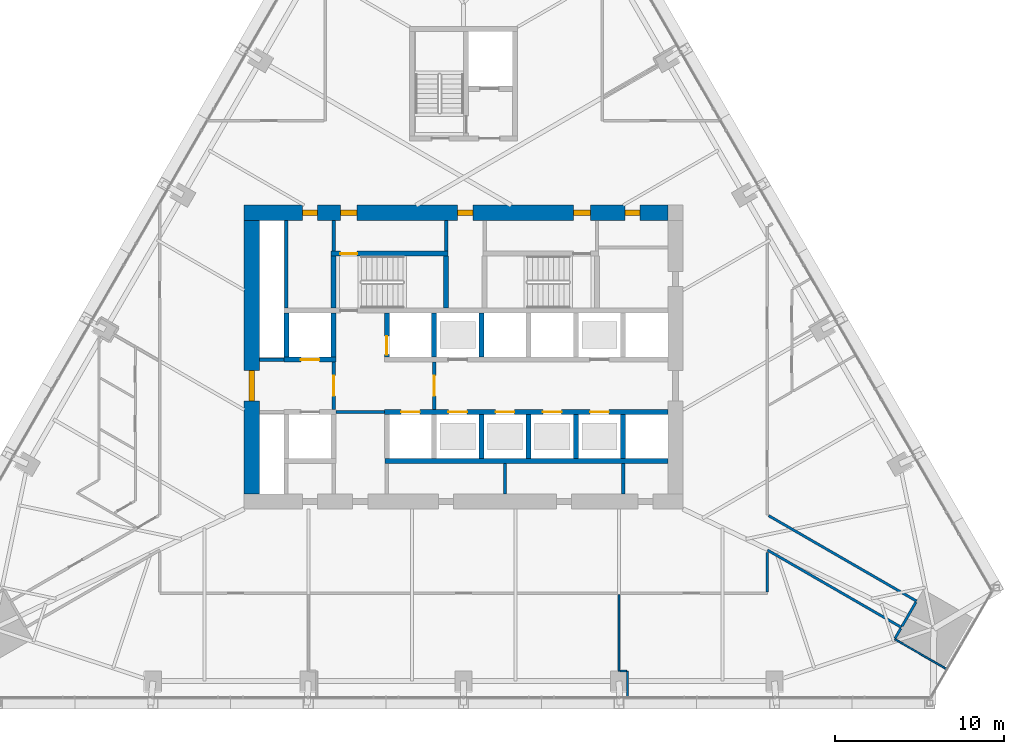
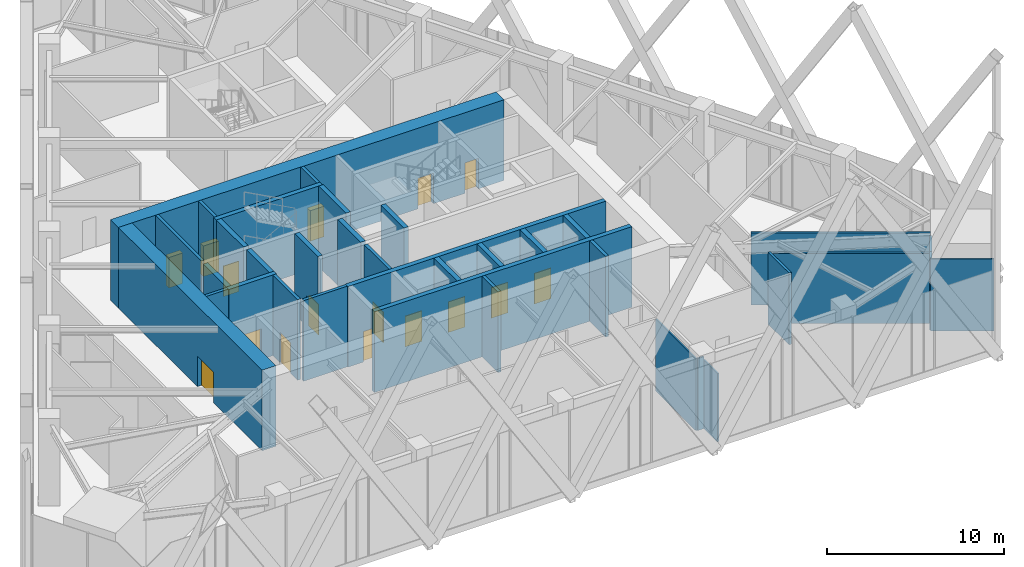
# One storey, part 16 of 21: 35 walls, 16 doors, 16 openings.
"""IFC4 building model written with IfcOpenShell, lengths in metres."""

from ifc_helpers import new_model, si_unit, direction, frame, frame_2d, origin, place, context, subcontext, project, spatial, rectangle, extrude, material, layer, layer_set, type_object, element, fill, save


model = new_model("IFC4")

# Units and contexts
model_context = context("Model", 3, precision=1e-05, world=origin(), true_north=direction((0.0, 1.0)))
body_context = subcontext(model_context, "Body", "Model", "MODEL_VIEW")
ifc_project = project(units=[si_unit("LENGTHUNIT", "METRE"), si_unit("AREAUNIT", "SQUARE_METRE"), si_unit("VOLUMEUNIT", "CUBIC_METRE"), si_unit("PLANEANGLEUNIT", "RADIAN"), si_unit("MASSUNIT", "GRAM", prefix="KILO")], contexts=[model_context])

# Site, building, storey
site_placement = place(None, origin())
site = spatial("IfcSite", under=ifc_project, at=site_placement, CompositionType="ELEMENT")
building_placement = place(site_placement, origin())
building = spatial("IfcBuilding", under=site, at=building_placement, Name="Firuza Gate Tower and Library", CompositionType="ELEMENT")
storey_placement = place(building_placement, frame((0.0, 0.0, 140.800048828125)))
storey = spatial("IfcBuildingStorey", under=building, at=storey_placement, Name="L32", CompositionType="ELEMENT", Elevation=140.800048828125)

# Walls
ifc_material_1 = material(Name="Plasterboard on steel studs", Category="steel")
ifc_layer_1 = layer(ifc_material_1, 0.199951171875)
ifc_layer_set_1 = layer_set([ifc_layer_1], Name="Core partition 200 EI 120")
wall_type_1 = type_object("IfcWallType", Name="Core partition 200 EI 120", PredefinedType="PARTITIONING", material=ifc_layer_set_1)
wall_1_placement = place(storey_placement, frame((62.89990234375, 74.85009765625, 0.0), z_axis=(0.0, 0.0, 1.0), x_axis=(1.0, 0.0, 0.0)))
element("IfcWall", 1, at=wall_1_placement, inside=storey, type_object=wall_type_1, Name="Core partition L32 3", PredefinedType="PARTITIONING", context=body_context, shape_type="SweptSolid", body=[
    extrude(rectangle(XDim=1.4501953125, YDim=0.199951171875, at=frame_2d((0.72509765625, 0.0))), origin(), (0.0, 0.0, 1.0), 5.550048828125),
])
wall_2_placement = place(storey_placement, frame((64.5, 77.89990234375, 0.0), z_axis=(0.0, 0.0, 1.0), x_axis=(0.0, 1.0, 0.0)))
element("IfcWall", 2, at=wall_2_placement, inside=storey, type_object=wall_type_1, Name="Core partition L32 6", PredefinedType="PARTITIONING", context=body_context, shape_type="SweptSolid", body=[
    extrude(rectangle(XDim=5.2001953125, YDim=0.199951171875, at=frame_2d((2.60009765625, 0.0))), origin(), (0.0, 0.0, 1.0), 5.550048828125),
])
for number, where, z_axis, x_axis, name in (
    (3, (77.449951171875, 66.89990234375, 0.0), (0.0, 0.0, 1.0), (0.0, 1.0, 0.0), "Core partition L32 14"),
    (4, (84.449951171875, 66.89990234375, 0.0), (0.0, 0.0, 1.0), (0.0, 1.0, 0.0), "Core partition L32 16"),
):
    element("IfcWall", number, at=place(storey_placement, frame(where, z_axis=z_axis, x_axis=x_axis)), inside=storey, type_object=wall_type_1, Name=name, PredefinedType="PARTITIONING", context=body_context, shape_type="SweptSolid", body=[
        extrude(rectangle(XDim=1.800048828125, YDim=0.199951171875, at=frame_2d((0.89990234375, 0.0))), origin(), (0.0, 0.0, 1.0), 5.550048828125),
    ])
ifc_material_2 = material(Name="Plasterboard on steel studs", Category="steel")
ifc_layer_2 = layer(ifc_material_2, 0.199951171875)
ifc_layer_set_2 = layer_set([ifc_layer_2], Name="Core partition 200 EI 60")
wall_type_2 = type_object("IfcWallType", Name="Core partition 200 EI 60", PredefinedType="PARTITIONING", material=ifc_layer_set_2)
wall_3_placement = place(storey_placement, frame((67.449951171875, 71.75, 0.0), z_axis=(0.0, 0.0, 1.0), x_axis=(1.0, 0.0, 0.0)))
element("IfcWall", 5, at=wall_3_placement, inside=storey, type_object=wall_type_2, Name="Core partition L32 2", PredefinedType="PARTITIONING", context=body_context, shape_type="SweptSolid", body=[
    extrude(rectangle(XDim=2.85009765625, YDim=0.199951171875, at=frame_2d((1.425048828125, 0.0))), origin(), (0.0, 0.0, 1.0), 5.550048828125),
])

# Wall, opening, door
wall_4_placement = place(storey_placement, frame((67.300048828125, 71.89990234375, 0.0), z_axis=(0.0, 0.0, 1.0), x_axis=(0.0, 1.0, 0.0)))
wall_4 = element("IfcWall", 6, at=wall_4_placement, inside=storey, type_object=wall_type_2, Name="Core partition L32 8", PredefinedType="PARTITIONING", context=body_context, shape_type="SweptSolid", body=[
    extrude(rectangle(XDim=2.800048828125, YDim=0.199951171875, at=frame_2d((1.39990234375, 0.0))), origin(), (0.0, 0.0, 1.0), 5.550048828125),
])
opening_1_placement = place(wall_4_placement, frame((0.800048828125, 0.0, 0.0)))
opening_1 = element("IfcOpeningElement", 7, at=opening_1_placement, cuts=wall_4, Name="Opening L32-K21", PredefinedType="OPENING", context=body_context, shape_type="SweptSolid", body=[
    extrude(rectangle(XDim=1.199951171875, YDim=2.10009765625, at=frame_2d((0.60009765625, 1.050048828125))), frame((0.0, 0.10986328125, 0.0), z_axis=(0.0, -1.0, 0.0), x_axis=(1.0, 0.0, 0.0)), (0.0, 0.0, 1.0), 0.219970703125),
])
ifc_material_3 = material(Name="Steel", Category="steel")
door_type_1 = type_object("IfcDoorType", Name="Fire door 1200x2100 FD90S", OperationType="NOTDEFINED", PredefinedType="DOOR", material=ifc_material_3)
door_1_placement = place(opening_1_placement, origin())
door_1 = element("IfcDoor", 8, at=door_1_placement, inside=storey, type_object=door_type_1, Name="Door L32-K21", OperationType="SINGLE_SWING_RIGHT", OverallHeight=2.10009765625, OverallWidth=1.199951171875, PredefinedType="DOOR", context=body_context, shape_type="SweptSolid", body=[
    extrude(rectangle(XDim=1.199951171875, YDim=2.10009765625, at=frame_2d((0.60009765625, 1.050048828125))), frame((0.0, 0.02490234375, 0.0), z_axis=(0.0, -1.0, 0.0), x_axis=(1.0, 0.0, 0.0)), (0.0, 0.0, 1.0), 0.050048828125),
])
fill(opening_1, door_1)

# Wall
wall_5_placement = place(storey_placement, frame((67.300048828125, 81.280029296875, 0.0), z_axis=(0.0, 0.0, 1.0), x_axis=(0.0, 1.0, 0.0)))
element("IfcWall", 9, at=wall_5_placement, inside=storey, type_object=wall_type_2, Name="Core partition L32 9", PredefinedType="PARTITIONING", context=body_context, shape_type="SweptSolid", body=[
    extrude(rectangle(XDim=1.820068359375, YDim=0.199951171875, at=frame_2d((0.91015625, 0.0))), origin(), (0.0, 0.0, 1.0), 5.550048828125),
])

# Wall, opening, door
wall_6_placement = place(storey_placement, frame((73.25, 71.89990234375, 0.0), z_axis=(0.0, 0.0, 1.0), x_axis=(0.0, 1.0, 0.0)))
wall_6 = element("IfcWall", 10, at=wall_6_placement, inside=storey, type_object=wall_type_2, Name="Core partition L32 11", PredefinedType="PARTITIONING", context=body_context, shape_type="SweptSolid", body=[
    extrude(rectangle(XDim=2.800048828125, YDim=0.199951171875, at=frame_2d((1.39990234375, 0.0))), origin(), (0.0, 0.0, 1.0), 5.550048828125),
])
opening_2_placement = place(wall_6_placement, frame((0.800048828125, 0.0, 0.0)))
opening_2 = element("IfcOpeningElement", 11, at=opening_2_placement, cuts=wall_6, Name="Opening L32-K20", PredefinedType="OPENING", context=body_context, shape_type="SweptSolid", body=[
    extrude(rectangle(XDim=1.199951171875, YDim=2.10009765625, at=frame_2d((0.60009765625, 1.050048828125))), frame((0.0, 0.10986328125, 0.0), z_axis=(0.0, -1.0, 0.0), x_axis=(1.0, 0.0, 0.0)), (0.0, 0.0, 1.0), 0.219970703125),
])
door_2_placement = place(opening_2_placement, origin())
door_2 = element("IfcDoor", 12, at=door_2_placement, inside=storey, type_object=door_type_1, Name="Door L32-K20", OperationType="SINGLE_SWING_LEFT", OverallHeight=2.10009765625, OverallWidth=1.199951171875, PredefinedType="DOOR", context=body_context, shape_type="SweptSolid", body=[
    extrude(rectangle(XDim=1.199951171875, YDim=2.10009765625, at=frame_2d((0.60009765625, 1.050048828125))), frame((0.0, 0.02490234375, 0.0), z_axis=(0.0, -1.0, 0.0), x_axis=(1.0, 0.0, 0.0)), (0.0, 0.0, 1.0), 0.050048828125),
])
fill(opening_2, door_2)

# Walls
wall_7_placement = place(storey_placement, frame((73.9599609375, 81.280029296875, 0.0), z_axis=(0.0, 0.0, 1.0), x_axis=(0.0, 1.0, 0.0)))
element("IfcWall", 13, at=wall_7_placement, inside=storey, type_object=wall_type_2, Name="Core partition L32 12", PredefinedType="PARTITIONING", context=body_context, shape_type="SweptSolid", body=[
    extrude(rectangle(XDim=1.820068359375, YDim=0.199951171875, at=frame_2d((0.91015625, 0.0))), origin(), (0.0, 0.0, 1.0), 5.550048828125),
])
ifc_material_4 = material(Name="Concrete C80/95", Category="concrete")
ifc_layer_3 = layer(ifc_material_4, 0.300048828125)
ifc_layer_set_3 = layer_set([ifc_layer_3], Name="Core wall 300 C80/95")
wall_type_3 = type_object("IfcWallType", Name="Core wall 300 C80/95", PredefinedType="SHEAR", material=ifc_layer_set_3)
wall_8_placement = place(storey_placement, frame((70.35009765625, 68.85009765625, 0.0), z_axis=(0.0, 0.0, 1.0), x_axis=(1.0, 0.0, 0.0)))
element("IfcWall", 14, at=wall_8_placement, inside=storey, type_object=wall_type_3, Name="Core wall L32 6", PredefinedType="SHEAR", context=body_context, shape_type="SweptSolid", body=[
    extrude(rectangle(XDim=16.75, YDim=0.300048828125, at=frame_2d((8.375, 0.0))), origin(), (0.0, 0.0, 1.0), 5.550048828125),
])

# Wall, openings, doors
wall_9_placement = place(storey_placement, frame((70.300048828125, 71.75, 0.0), z_axis=(0.0, 0.0, 1.0), x_axis=(1.0, 0.0, 0.0)))
wall_9 = element("IfcWall", 15, at=wall_9_placement, inside=storey, type_object=wall_type_3, Name="Core wall L32 8", PredefinedType="SHEAR", context=body_context, shape_type="SweptSolid", body=[
    extrude(rectangle(XDim=16.800048828125, YDim=0.300048828125, at=frame_2d((8.39990234375, 0.0))), origin(), (0.0, 0.0, 1.0), 5.550048828125),
])
opening_3_placement = place(wall_9_placement, frame((1.0, 0.0, 0.0)))
opening_3 = element("IfcOpeningElement", 16, at=opening_3_placement, cuts=wall_9, Name="Opening LD-FF1-L32", PredefinedType="OPENING", context=body_context, shape_type="SweptSolid", body=[
    extrude(rectangle(XDim=1.10009765625, YDim=2.10009765625, at=frame_2d((0.550048828125, 1.050048828125))), frame((0.0, 0.16015625, 0.0), z_axis=(0.0, -1.0, 0.0), x_axis=(1.0, 0.0, 0.0)), (0.0, 0.0, 1.0), 0.320068359375),
])
opening_4_placement = place(wall_9_placement, frame((3.800048828125, 0.0, 0.0)))
opening_4 = element("IfcOpeningElement", 17, at=opening_4_placement, cuts=wall_9, Name="Opening LD-MR1-L32", PredefinedType="OPENING", context=body_context, shape_type="SweptSolid", body=[
    extrude(rectangle(XDim=1.10009765625, YDim=2.10009765625, at=frame_2d((0.550048828125, 1.050048828125))), frame((0.0, 0.16015625, 0.0), z_axis=(0.0, -1.0, 0.0), x_axis=(1.0, 0.0, 0.0)), (0.0, 0.0, 1.0), 0.320068359375),
])
opening_5_placement = place(wall_9_placement, frame((6.60009765625, 0.0, 0.0)))
opening_5 = element("IfcOpeningElement", 18, at=opening_5_placement, cuts=wall_9, Name="Opening LD-MR2-L32", PredefinedType="OPENING", context=body_context, shape_type="SweptSolid", body=[
    extrude(rectangle(XDim=1.10009765625, YDim=2.10009765625, at=frame_2d((0.550048828125, 1.050048828125))), frame((0.0, 0.16015625, 0.0), z_axis=(0.0, -1.0, 0.0), x_axis=(1.0, 0.0, 0.0)), (0.0, 0.0, 1.0), 0.320068359375),
])
opening_6_placement = place(wall_9_placement, frame((9.39990234375, 0.0, 0.0)))
opening_6 = element("IfcOpeningElement", 19, at=opening_6_placement, cuts=wall_9, Name="Opening LD-MR3-L32", PredefinedType="OPENING", context=body_context, shape_type="SweptSolid", body=[
    extrude(rectangle(XDim=1.10009765625, YDim=2.10009765625, at=frame_2d((0.550048828125, 1.050048828125))), frame((0.0, 0.16015625, 0.0), z_axis=(0.0, -1.0, 0.0), x_axis=(1.0, 0.0, 0.0)), (0.0, 0.0, 1.0), 0.320068359375),
])
opening_7_placement = place(wall_9_placement, frame((12.199951171875, 0.0, 0.0)))
opening_7 = element("IfcOpeningElement", 20, at=opening_7_placement, cuts=wall_9, Name="Opening LD-MR5-L32", PredefinedType="OPENING", context=body_context, shape_type="SweptSolid", body=[
    extrude(rectangle(XDim=1.10009765625, YDim=2.10009765625, at=frame_2d((0.550048828125, 1.050048828125))), frame((0.0, 0.16015625, 0.0), z_axis=(0.0, -1.0, 0.0), x_axis=(1.0, 0.0, 0.0)), (0.0, 0.0, 1.0), 0.320068359375),
])
ifc_material_5 = material(Name="Stainless steel", Category="steel")
door_type_2 = type_object("IfcDoorType", Name="Lift landing door 1100x2100", OperationType="DOUBLE_DOOR_SLIDING", PredefinedType="DOOR", material=ifc_material_5)
door_3_placement = place(opening_3_placement, origin())
door_3 = element("IfcDoor", 21, at=door_3_placement, inside=storey, type_object=door_type_2, Name="Landing door FF1 L32", OperationType="DOUBLE_DOOR_SLIDING", OverallHeight=2.10009765625, OverallWidth=1.10009765625, PredefinedType="DOOR", context=body_context, shape_type="SweptSolid", body=[
    extrude(rectangle(XDim=1.10009765625, YDim=2.10009765625, at=frame_2d((0.550048828125, 1.050048828125))), frame((0.0, 0.02490234375, 0.0), z_axis=(0.0, -1.0, 0.0), x_axis=(1.0, 0.0, 0.0)), (0.0, 0.0, 1.0), 0.050048828125),
])
fill(opening_3, door_3)
door_4_placement = place(opening_4_placement, origin())
door_4 = element("IfcDoor", 22, at=door_4_placement, inside=storey, type_object=door_type_2, Name="Landing door MR1 L32", OperationType="DOUBLE_DOOR_SLIDING", OverallHeight=2.10009765625, OverallWidth=1.10009765625, PredefinedType="DOOR", context=body_context, shape_type="SweptSolid", body=[
    extrude(rectangle(XDim=1.10009765625, YDim=2.10009765625, at=frame_2d((0.550048828125, 1.050048828125))), frame((0.0, 0.02490234375, 0.0), z_axis=(0.0, -1.0, 0.0), x_axis=(1.0, 0.0, 0.0)), (0.0, 0.0, 1.0), 0.050048828125),
])
fill(opening_4, door_4)
door_5_placement = place(opening_5_placement, origin())
door_5 = element("IfcDoor", 23, at=door_5_placement, inside=storey, type_object=door_type_2, Name="Landing door MR2 L32", OperationType="DOUBLE_DOOR_SLIDING", OverallHeight=2.10009765625, OverallWidth=1.10009765625, PredefinedType="DOOR", context=body_context, shape_type="SweptSolid", body=[
    extrude(rectangle(XDim=1.10009765625, YDim=2.10009765625, at=frame_2d((0.550048828125, 1.050048828125))), frame((0.0, 0.02490234375, 0.0), z_axis=(0.0, -1.0, 0.0), x_axis=(1.0, 0.0, 0.0)), (0.0, 0.0, 1.0), 0.050048828125),
])
fill(opening_5, door_5)
door_6_placement = place(opening_6_placement, origin())
door_6 = element("IfcDoor", 24, at=door_6_placement, inside=storey, type_object=door_type_2, Name="Landing door MR3 L32", OperationType="DOUBLE_DOOR_SLIDING", OverallHeight=2.10009765625, OverallWidth=1.10009765625, PredefinedType="DOOR", context=body_context, shape_type="SweptSolid", body=[
    extrude(rectangle(XDim=1.10009765625, YDim=2.10009765625, at=frame_2d((0.550048828125, 1.050048828125))), frame((0.0, 0.02490234375, 0.0), z_axis=(0.0, -1.0, 0.0), x_axis=(1.0, 0.0, 0.0)), (0.0, 0.0, 1.0), 0.050048828125),
])
fill(opening_6, door_6)
door_7_placement = place(opening_7_placement, origin())
door_7 = element("IfcDoor", 25, at=door_7_placement, inside=storey, type_object=door_type_2, Name="Landing door MR5 L32", OperationType="DOUBLE_DOOR_SLIDING", OverallHeight=2.10009765625, OverallWidth=1.10009765625, PredefinedType="DOOR", context=body_context, shape_type="SweptSolid", body=[
    extrude(rectangle(XDim=1.10009765625, YDim=2.10009765625, at=frame_2d((0.550048828125, 1.050048828125))), frame((0.0, 0.02490234375, 0.0), z_axis=(0.0, -1.0, 0.0), x_axis=(1.0, 0.0, 0.0)), (0.0, 0.0, 1.0), 0.050048828125),
])
fill(opening_7, door_7)

# Wall, opening, door
wall_10_placement = place(storey_placement, frame((64.35009765625, 74.85009765625, 0.0), z_axis=(0.0, 0.0, 1.0), x_axis=(1.0, 0.0, 0.0)))
wall_10 = element("IfcWall", 26, at=wall_10_placement, inside=storey, type_object=wall_type_3, Name="Core wall L32 9", PredefinedType="SHEAR", context=body_context, shape_type="SweptSolid", body=[
    extrude(rectangle(XDim=3.099853515625, YDim=0.300048828125, at=frame_2d((1.5498046875, 0.0))), origin(), (0.0, 0.0, 1.0), 5.550048828125),
])
opening_8_placement = place(wall_10_placement, frame((1.0, 0.0, 0.0)))
opening_8 = element("IfcOpeningElement", 27, at=opening_8_placement, cuts=wall_10, Name="Opening LD-SA2-L32", PredefinedType="OPENING", context=body_context, shape_type="SweptSolid", body=[
    extrude(rectangle(XDim=1.10009765625, YDim=2.10009765625, at=frame_2d((0.550048828125, 1.050048828125))), frame((0.0, 0.16015625, 0.0), z_axis=(0.0, -1.0, 0.0), x_axis=(1.0, 0.0, 0.0)), (0.0, 0.0, 1.0), 0.320068359375),
])
door_8_placement = place(opening_8_placement, origin())
door_8 = element("IfcDoor", 28, at=door_8_placement, inside=storey, type_object=door_type_2, Name="Landing door SA2 L32", OperationType="DOUBLE_DOOR_SLIDING", OverallHeight=2.10009765625, OverallWidth=1.10009765625, PredefinedType="DOOR", context=body_context, shape_type="SweptSolid", body=[
    extrude(rectangle(XDim=1.10009765625, YDim=2.10009765625, at=frame_2d((0.550048828125, 1.050048828125))), frame((0.0, 0.02490234375, 0.0), z_axis=(0.0, -1.0, 0.0), x_axis=(1.0, 0.0, 0.0)), (0.0, 0.0, 1.0), 0.050048828125),
])
fill(opening_8, door_8)

# Walls
for number, where, z_axis, x_axis, name in (
    (29, (64.5, 75.0, 0.0), (0.0, 0.0, 1.0), (0.0, 1.0, 0.0), "Core wall L32 12"),
    (30, (67.300048828125, 75.0, 0.0), (0.0, 0.0, 1.0), (0.0, 1.0, 0.0), "Core wall L32 14"),
):
    element("IfcWall", number, at=place(storey_placement, frame(where, z_axis=z_axis, x_axis=x_axis)), inside=storey, type_object=wall_type_3, Name=name, PredefinedType="SHEAR", context=body_context, shape_type="SweptSolid", body=[
        extrude(rectangle(XDim=2.60009765625, YDim=0.300048828125, at=frame_2d((1.300048828125, 0.0))), origin(), (0.0, 0.0, 1.0), 5.550048828125),
    ])

# Wall, opening, door
wall_11_placement = place(storey_placement, frame((70.449951171875, 75.0, 0.0), z_axis=(0.0, 0.0, 1.0), x_axis=(0.0, 1.0, 0.0)))
wall_11 = element("IfcWall", 31, at=wall_11_placement, inside=storey, type_object=wall_type_3, Name="Core wall L32 16", PredefinedType="SHEAR", context=body_context, shape_type="SweptSolid", body=[
    extrude(rectangle(XDim=2.60009765625, YDim=0.300048828125, at=frame_2d((1.300048828125, 0.0))), origin(), (0.0, 0.0, 1.0), 5.550048828125),
])
opening_9_placement = place(wall_11_placement, frame((0.14990234375, 0.0, 0.0)))
opening_9 = element("IfcOpeningElement", 32, at=opening_9_placement, cuts=wall_11, Name="Opening LD-FF2-L32", PredefinedType="OPENING", context=body_context, shape_type="SweptSolid", body=[
    extrude(rectangle(XDim=1.10009765625, YDim=2.10009765625, at=frame_2d((0.550048828125, 1.050048828125))), frame((0.0, 0.16015625, 0.0), z_axis=(0.0, -1.0, 0.0), x_axis=(1.0, 0.0, 0.0)), (0.0, 0.0, 1.0), 0.320068359375),
])
door_9_placement = place(opening_9_placement, origin())
door_9 = element("IfcDoor", 33, at=door_9_placement, inside=storey, type_object=door_type_2, Name="Landing door FF2 L32", OperationType="DOUBLE_DOOR_SLIDING", OverallHeight=2.10009765625, OverallWidth=1.10009765625, PredefinedType="DOOR", context=body_context, shape_type="SweptSolid", body=[
    extrude(rectangle(XDim=1.10009765625, YDim=2.10009765625, at=frame_2d((0.550048828125, 1.050048828125))), frame((0.0, 0.02490234375, 0.0), z_axis=(0.0, -1.0, 0.0), x_axis=(1.0, 0.0, 0.0)), (0.0, 0.0, 1.0), 0.050048828125),
])
fill(opening_9, door_9)

# Walls
for number, where, z_axis, x_axis, name in (
    (34, (73.25, 75.0, 0.0), (0.0, 0.0, 1.0), (0.0, 1.0, 0.0), "Core wall L32 18"),
    (35, (76.050048828125, 69.0, 0.0), (0.0, 0.0, 1.0), (0.0, 1.0, 0.0), "Core wall L32 19"),
    (36, (76.050048828125, 75.0, 0.0), (0.0, 0.0, 1.0), (0.0, 1.0, 0.0), "Core wall L32 20"),
    (37, (78.85009765625, 69.0, 0.0), (0.0, 0.0, 1.0), (0.0, 1.0, 0.0), "Core wall L32 21"),
    (38, (81.64990234375, 69.0, 0.0), (0.0, 0.0, 1.0), (0.0, 1.0, 0.0), "Core wall L32 23"),
    (39, (84.449951171875, 69.0, 0.0), (0.0, 0.0, 1.0), (0.0, 1.0, 0.0), "Core wall L32 25"),
):
    element("IfcWall", number, at=place(storey_placement, frame(where, z_axis=z_axis, x_axis=x_axis)), inside=storey, type_object=wall_type_3, Name=name, PredefinedType="SHEAR", context=body_context, shape_type="SweptSolid", body=[
        extrude(rectangle(XDim=2.60009765625, YDim=0.300048828125, at=frame_2d((1.300048828125, 0.0))), origin(), (0.0, 0.0, 1.0), 5.550048828125),
    ])

# Wall, opening, door
wall_12_placement = place(storey_placement, frame((67.14990234375, 81.1298828125, 0.0), z_axis=(0.0, 0.0, 1.0), x_axis=(1.0, 0.0, 0.0)))
wall_12 = element("IfcWall", 40, at=wall_12_placement, inside=storey, type_object=wall_type_3, Name="Core wall L32 28", PredefinedType="SHEAR", context=body_context, shape_type="SweptSolid", body=[
    extrude(rectangle(XDim=6.91015625, YDim=0.300048828125, at=frame_2d((3.455078125, 0.0))), origin(), (0.0, 0.0, 1.0), 5.550048828125),
])
opening_10_placement = place(wall_12_placement, frame((0.544921875, 0.0, 0.0)))
opening_10 = element("IfcOpeningElement", 41, at=opening_10_placement, cuts=wall_12, Name="Opening L32-K13", PredefinedType="OPENING", context=body_context, shape_type="SweptSolid", body=[
    extrude(rectangle(XDim=1.0, YDim=2.10009765625, at=frame_2d((0.5, 1.050048828125))), frame((0.0, 0.16015625, 0.0), z_axis=(0.0, -1.0, 0.0), x_axis=(1.0, 0.0, 0.0)), (0.0, 0.0, 1.0), 0.320068359375),
])
ifc_material_6 = material(Name="Steel", Category="steel")
door_type_3 = type_object("IfcDoorType", Name="Fire door 1000x2100 FD90", OperationType="NOTDEFINED", PredefinedType="DOOR", material=ifc_material_6)
door_10_placement = place(opening_10_placement, origin())
door_10 = element("IfcDoor", 42, at=door_10_placement, inside=storey, type_object=door_type_3, Name="Door L32-K13", OperationType="SINGLE_SWING_RIGHT", OverallHeight=2.10009765625, OverallWidth=1.0, PredefinedType="DOOR", context=body_context, shape_type="SweptSolid", body=[
    extrude(rectangle(XDim=1.0, YDim=2.10009765625, at=frame_2d((0.5, 1.050048828125))), frame((0.0, 0.02490234375, 0.0), z_axis=(0.0, -1.0, 0.0), x_axis=(1.0, 0.0, 0.0)), (0.0, 0.0, 1.0), 0.050048828125),
])
fill(opening_10, door_10)

# Walls
for number, where, z_axis, x_axis, name in (
    (43, (67.300048828125, 77.89990234375, 0.0), (0.0, 0.0, 1.0), (0.0, 1.0, 0.0), "Core wall L32 30"),
    (44, (73.9599609375, 77.89990234375, 0.0), (0.0, 0.0, 1.0), (0.0, 1.0, 0.0), "Core wall L32 31"),
):
    element("IfcWall", number, at=place(storey_placement, frame(where, z_axis=z_axis, x_axis=x_axis)), inside=storey, type_object=wall_type_3, Name=name, PredefinedType="SHEAR", context=body_context, shape_type="SweptSolid", body=[
        extrude(rectangle(XDim=3.080078125, YDim=0.300048828125, at=frame_2d((1.5400390625, 0.0))), origin(), (0.0, 0.0, 1.0), 5.550048828125),
    ])

# Wall, openings, doors
ifc_material_7 = material(Name="Concrete C80/95", Category="concrete")
ifc_layer_4 = layer(ifc_material_7, 0.89990234375)
ifc_layer_set_4 = layer_set([ifc_layer_4], Name="Core wall 900 C80/95")
wall_type_4 = type_object("IfcWallType", Name="Core wall 900 C80/95", PredefinedType="SHEAR", material=ifc_layer_set_4)
wall_13_placement = place(storey_placement, frame((62.0, 83.550048828125, 0.0), z_axis=(0.0, 0.0, 1.0), x_axis=(1.0, 0.0, 0.0)))
wall_13 = element("IfcWall", 45, at=wall_13_placement, inside=storey, type_object=wall_type_4, Name="Core wall L32 2", PredefinedType="SHEAR", context=body_context, shape_type="SweptSolid", body=[
    extrude(rectangle(XDim=25.10009765625, YDim=0.89990234375, at=frame_2d((12.550048828125, 0.0))), origin(), (0.0, 0.0, 1.0), 5.550048828125),
])
opening_11_placement = place(wall_13_placement, frame((5.695068359375, 0.0, 0.0)))
opening_11 = element("IfcOpeningElement", 46, at=opening_11_placement, cuts=wall_13, Name="Opening L32-K14", PredefinedType="OPENING", context=body_context, shape_type="SweptSolid", body=[
    extrude(rectangle(XDim=1.0, YDim=2.10009765625, at=frame_2d((0.5, 1.050048828125))), frame((0.0, 0.4599609375, 0.0), z_axis=(0.0, -1.0, 0.0), x_axis=(1.0, 0.0, 0.0)), (0.0, 0.0, 1.0), 0.919921875),
])
opening_12_placement = place(wall_13_placement, frame((19.5048828125, 0.0, 0.0)))
opening_12 = element("IfcOpeningElement", 47, at=opening_12_placement, cuts=wall_13, Name="Opening L32-K16", PredefinedType="OPENING", context=body_context, shape_type="SweptSolid", body=[
    extrude(rectangle(XDim=1.0, YDim=2.10009765625, at=frame_2d((0.5, 1.050048828125))), frame((0.0, 0.4599609375, 0.0), z_axis=(0.0, -1.0, 0.0), x_axis=(1.0, 0.0, 0.0)), (0.0, 0.0, 1.0), 0.919921875),
])
opening_13_placement = place(wall_13_placement, frame((3.449951171875, 0.0, 0.0)))
opening_13 = element("IfcOpeningElement", 48, at=opening_13_placement, cuts=wall_13, Name="Opening L32-K29", PredefinedType="OPENING", context=body_context, shape_type="SweptSolid", body=[
    extrude(rectangle(XDim=0.89990234375, YDim=2.10009765625, at=frame_2d((0.449951171875, 1.050048828125))), frame((0.0, 0.4599609375, 0.0), z_axis=(0.0, -1.0, 0.0), x_axis=(1.0, 0.0, 0.0)), (0.0, 0.0, 1.0), 0.919921875),
])
opening_14_placement = place(wall_13_placement, frame((12.64990234375, 0.0, 0.0)))
opening_14 = element("IfcOpeningElement", 49, at=opening_14_placement, cuts=wall_13, Name="Opening L32-K30", PredefinedType="OPENING", context=body_context, shape_type="SweptSolid", body=[
    extrude(rectangle(XDim=0.89990234375, YDim=2.10009765625, at=frame_2d((0.449951171875, 1.050048828125))), frame((0.0, 0.4599609375, 0.0), z_axis=(0.0, -1.0, 0.0), x_axis=(1.0, 0.0, 0.0)), (0.0, 0.0, 1.0), 0.919921875),
])
opening_15_placement = place(wall_13_placement, frame((22.550048828125, 0.0, 0.0)))
opening_15 = element("IfcOpeningElement", 50, at=opening_15_placement, cuts=wall_13, Name="Opening L32-K32", PredefinedType="OPENING", context=body_context, shape_type="SweptSolid", body=[
    extrude(rectangle(XDim=0.89990234375, YDim=2.10009765625, at=frame_2d((0.449951171875, 1.050048828125))), frame((0.0, 0.4599609375, 0.0), z_axis=(0.0, -1.0, 0.0), x_axis=(1.0, 0.0, 0.0)), (0.0, 0.0, 1.0), 0.919921875),
])
door_11_placement = place(opening_11_placement, origin())
door_11 = element("IfcDoor", 51, at=door_11_placement, inside=storey, type_object=door_type_3, Name="Door L32-K14", OperationType="SINGLE_SWING_LEFT", OverallHeight=2.10009765625, OverallWidth=1.0, PredefinedType="DOOR", context=body_context, shape_type="SweptSolid", body=[
    extrude(rectangle(XDim=1.0, YDim=2.10009765625, at=frame_2d((0.5, 1.050048828125))), frame((0.0, 0.169921875, 0.0), z_axis=(0.0, -1.0, 0.0), x_axis=(1.0, 0.0, 0.0)), (0.0, 0.0, 1.0), 0.33984375),
])
fill(opening_11, door_11)
door_12_placement = place(opening_12_placement, origin())
door_12 = element("IfcDoor", 52, at=door_12_placement, inside=storey, type_object=door_type_3, Name="Door L32-K16", OperationType="SINGLE_SWING_LEFT", OverallHeight=2.10009765625, OverallWidth=1.0, PredefinedType="DOOR", context=body_context, shape_type="SweptSolid", body=[
    extrude(rectangle(XDim=1.0, YDim=2.10009765625, at=frame_2d((0.5, 1.050048828125))), frame((0.0, 0.169921875, 0.0), z_axis=(0.0, -1.0, 0.0), x_axis=(1.0, 0.0, 0.0)), (0.0, 0.0, 1.0), 0.33984375),
])
fill(opening_12, door_12)
ifc_material_8 = material(Name="Steel", Category="steel")
door_type_4 = type_object("IfcDoorType", Name="Fire door 900x2100 FD30S", OperationType="NOTDEFINED", PredefinedType="DOOR", material=ifc_material_8)
door_13_placement = place(opening_13_placement, origin())
door_13 = element("IfcDoor", 53, at=door_13_placement, inside=storey, type_object=door_type_4, Name="Door L32-K29", OperationType="SINGLE_SWING_RIGHT", OverallHeight=2.10009765625, OverallWidth=0.89990234375, PredefinedType="DOOR", context=body_context, shape_type="SweptSolid", body=[
    extrude(rectangle(XDim=0.89990234375, YDim=2.10009765625, at=frame_2d((0.449951171875, 1.050048828125))), frame((0.0, 0.169921875, 0.0), z_axis=(0.0, -1.0, 0.0), x_axis=(1.0, 0.0, 0.0)), (0.0, 0.0, 1.0), 0.33984375),
])
fill(opening_13, door_13)
door_14_placement = place(opening_14_placement, origin())
door_14 = element("IfcDoor", 54, at=door_14_placement, inside=storey, type_object=door_type_4, Name="Door L32-K30", OperationType="SINGLE_SWING_LEFT", OverallHeight=2.10009765625, OverallWidth=0.89990234375, PredefinedType="DOOR", context=body_context, shape_type="SweptSolid", body=[
    extrude(rectangle(XDim=0.89990234375, YDim=2.10009765625, at=frame_2d((0.449951171875, 1.050048828125))), frame((0.0, 0.169921875, 0.0), z_axis=(0.0, -1.0, 0.0), x_axis=(1.0, 0.0, 0.0)), (0.0, 0.0, 1.0), 0.33984375),
])
fill(opening_14, door_14)
door_15_placement = place(opening_15_placement, origin())
door_15 = element("IfcDoor", 55, at=door_15_placement, inside=storey, type_object=door_type_4, Name="Door L32-K32", OperationType="SINGLE_SWING_LEFT", OverallHeight=2.10009765625, OverallWidth=0.89990234375, PredefinedType="DOOR", context=body_context, shape_type="SweptSolid", body=[
    extrude(rectangle(XDim=0.89990234375, YDim=2.10009765625, at=frame_2d((0.449951171875, 1.050048828125))), frame((0.0, 0.169921875, 0.0), z_axis=(0.0, -1.0, 0.0), x_axis=(1.0, 0.0, 0.0)), (0.0, 0.0, 1.0), 0.33984375),
])
fill(opening_15, door_15)

# Wall, opening, door
wall_14_placement = place(storey_placement, frame((62.449951171875, 66.89990234375, 0.0), z_axis=(0.0, 0.0, 1.0), x_axis=(0.0, 1.0, 0.0)))
wall_14 = element("IfcWall", 56, at=wall_14_placement, inside=storey, type_object=wall_type_4, Name="Core wall L32 3", PredefinedType="SHEAR", context=body_context, shape_type="SweptSolid", body=[
    extrude(rectangle(XDim=16.2001953125, YDim=0.89990234375, at=frame_2d((8.10009765625, 0.0))), origin(), (0.0, 0.0, 1.0), 5.550048828125),
])
opening_16_placement = place(wall_14_placement, frame((5.5, 0.0, 0.0)))
opening_16 = element("IfcOpeningElement", 57, at=opening_16_placement, cuts=wall_14, Name="Opening L32-K22", PredefinedType="OPENING", context=body_context, shape_type="SweptSolid", body=[
    extrude(rectangle(XDim=1.800048828125, YDim=2.10009765625, at=frame_2d((0.89990234375, 1.050048828125))), frame((0.0, 0.4599609375, 0.0), z_axis=(0.0, -1.0, 0.0), x_axis=(1.0, 0.0, 0.0)), (0.0, 0.0, 1.0), 0.919921875),
])
ifc_material_9 = material(Name="Steel", Category="steel")
door_type_5 = type_object("IfcDoorType", Name="Fire door 1800x2100 FD30S", OperationType="NOTDEFINED", PredefinedType="DOOR", material=ifc_material_9)
door_16_placement = place(opening_16_placement, origin())
door_16 = element("IfcDoor", 58, at=door_16_placement, inside=storey, type_object=door_type_5, Name="Door L32-K22", OperationType="SINGLE_SWING_LEFT", OverallHeight=2.10009765625, OverallWidth=1.800048828125, PredefinedType="DOOR", context=body_context, shape_type="SweptSolid", body=[
    extrude(rectangle(XDim=1.800048828125, YDim=2.10009765625, at=frame_2d((0.89990234375, 1.050048828125))), frame((0.0, 0.169921875, 0.0), z_axis=(0.0, -1.0, 0.0), x_axis=(1.0, 0.0, 0.0)), (0.0, 0.0, 1.0), 0.33984375),
])
fill(opening_16, door_16)

# Walls
ifc_material_10 = material(Name="Gypsum board partition")
ifc_layer_5 = layer(ifc_material_10, 0.14990234375)
ifc_layer_set_5 = layer_set([ifc_layer_5], Name="Corridor wall 150 double board on steel studs")
wall_type_5 = type_object("IfcWallType", Name="Corridor wall 150 double board on steel studs", PredefinedType="PARTITIONING", material=ifc_layer_set_5)
wall_15_placement = place(storey_placement, frame((100.56396484375, 58.3359375, 0.0), z_axis=(0.0, 0.0, 1.0), x_axis=(0.500108776725, 0.865962592404, 0.0)))
element("IfcWall", 59, at=wall_15_placement, inside=storey, type_object=wall_type_5, Name="f:L32:w020", PredefinedType="PARTITIONING", context=body_context, shape_type="SweptSolid", body=[
    extrude(rectangle(XDim=0.674560546875, YDim=0.14990234375, at=frame_2d((0.33740234375, 0.0))), origin(), (0.0, 0.0, 1.0), 4.949951171875),
])
wall_16_placement = place(storey_placement, frame((93.0, 61.075439453125, 0.0), z_axis=(0.0, 0.0, 1.0), x_axis=(0.0, 1.0, 0.0)))
element("IfcWall", 60, at=wall_16_placement, inside=storey, type_object=wall_type_5, Name="f:L32:w024", PredefinedType="PARTITIONING", context=body_context, shape_type="SweptSolid", body=[
    extrude(rectangle(XDim=2.3564453125, YDim=0.14990234375, at=frame_2d((1.17822265625, 0.0))), origin(), (0.0, 0.0, 1.0), 4.949951171875),
])
wall_17_placement = place(storey_placement, frame((101.838623046875, 60.5439453125, 0.0), z_axis=(0.0, 0.0, 1.0), x_axis=(-0.86602086214, 0.500007866276, 0.0)))
element("IfcWall", 61, at=wall_17_placement, inside=storey, type_object=wall_type_5, Name="f:L32:w041", PredefinedType="PARTITIONING", context=body_context, shape_type="SweptSolid", body=[
    extrude(rectangle(XDim=10.119384765625, YDim=0.14990234375, at=frame_2d((5.0595703125, 0.0))), origin(), (0.0, 0.0, 1.0), 4.949951171875),
])
wall_18_placement = place(storey_placement, frame((100.939208984375, 58.98486328125, 0.0), z_axis=(0.0, 0.0, 1.0), x_axis=(-0.866023713276, 0.500002928035, 0.0)))
element("IfcWall", 62, at=wall_18_placement, inside=storey, type_object=wall_type_5, Name="f:L32:w042", PredefinedType="PARTITIONING", context=body_context, shape_type="SweptSolid", body=[
    extrude(rectangle(XDim=9.16748046875, YDim=0.14990234375, at=frame_2d((4.583740234375, 0.0))), origin(), (0.0, 0.0, 1.0), 4.796875),
])
wall_19_placement = place(storey_placement, frame((100.976318359375, 59.050048828125, 0.0), z_axis=(0.0, 0.0, 1.0), x_axis=(0.499991515992, 0.866030301974, 0.0)))
element("IfcWall", 63, at=wall_19_placement, inside=storey, type_object=wall_type_5, Name="f:L32:w053", PredefinedType="PARTITIONING", context=body_context, shape_type="SweptSolid", body=[
    extrude(rectangle(XDim=1.6494140625, YDim=0.14990234375, at=frame_2d((0.82470703125, 0.0))), origin(), (0.0, 0.0, 1.0), 4.796875),
])
ifc_material_11 = material(Name="Gypsum board partition")
ifc_layer_6 = layer(ifc_material_11, 0.10009765625)
ifc_layer_set_6 = layer_set([ifc_layer_6], Name="Partition 100 gypsum board on steel studs")
wall_type_6 = type_object("IfcWallType", Name="Partition 100 gypsum board on steel studs", PredefinedType="PARTITIONING", material=ifc_layer_set_6)
wall_20_placement = place(storey_placement, frame((84.266845703125, 56.39697265625, 0.0), z_axis=(0.0, 0.0, 1.0), x_axis=(1.0, 0.0, 0.0)))
element("IfcWall", 64, at=wall_20_placement, inside=storey, type_object=wall_type_6, Name="f:L32:w001", PredefinedType="PARTITIONING", context=body_context, shape_type="SweptSolid", body=[
    extrude(rectangle(XDim=0.389404296875, YDim=0.10009765625, at=frame_2d((0.19482421875, 0.0))), origin(), (0.0, 0.0, 1.0), 4.949951171875),
])
wall_21_placement = place(storey_placement, frame((84.70703125, 54.83642578125, 0.0), z_axis=(0.0, 0.0, 1.0), x_axis=(0.0, 1.0, 0.0)))
element("IfcWall", 65, at=wall_21_placement, inside=storey, type_object=wall_type_6, Name="f:L32:w026", PredefinedType="PARTITIONING", context=body_context, shape_type="SweptSolid", body=[
    extrude(rectangle(XDim=1.5595703125, YDim=0.10009765625, at=frame_2d((0.77978515625, 0.0))), origin(), (0.0, 0.0, 1.0), 4.71484375),
])
wall_22_placement = place(storey_placement, frame((84.20703125, 56.396484375, 0.0), z_axis=(0.0, 0.0, 1.0), x_axis=(0.0, 1.0, 0.0)))
element("IfcWall", 66, at=wall_22_placement, inside=storey, type_object=wall_type_6, Name="f:L32:w027", PredefinedType="PARTITIONING", context=body_context, shape_type="SweptSolid", body=[
    extrude(rectangle(XDim=4.528564453125, YDim=0.10009765625, at=frame_2d((2.26416015625, 0.0))), origin(), (0.0, 0.0, 1.0), 4.949951171875),
])
wall_23_placement = place(storey_placement, frame((103.622314453125, 56.511962890625, 0.0), z_axis=(0.0, 0.0, 1.0), x_axis=(-0.866031398331, 0.499989616998, 0.0)))
element("IfcWall", 67, at=wall_23_placement, inside=storey, type_object=wall_type_6, Name="f:L32:w043", PredefinedType="PARTITIONING", context=body_context, shape_type="SweptSolid", body=[
    extrude(rectangle(XDim=3.5595703125, YDim=0.10009765625, at=frame_2d((1.77978515625, 0.0))), origin(), (0.0, 0.0, 1.0), 4.949951171875),
])

save(model, "model.ifc")
